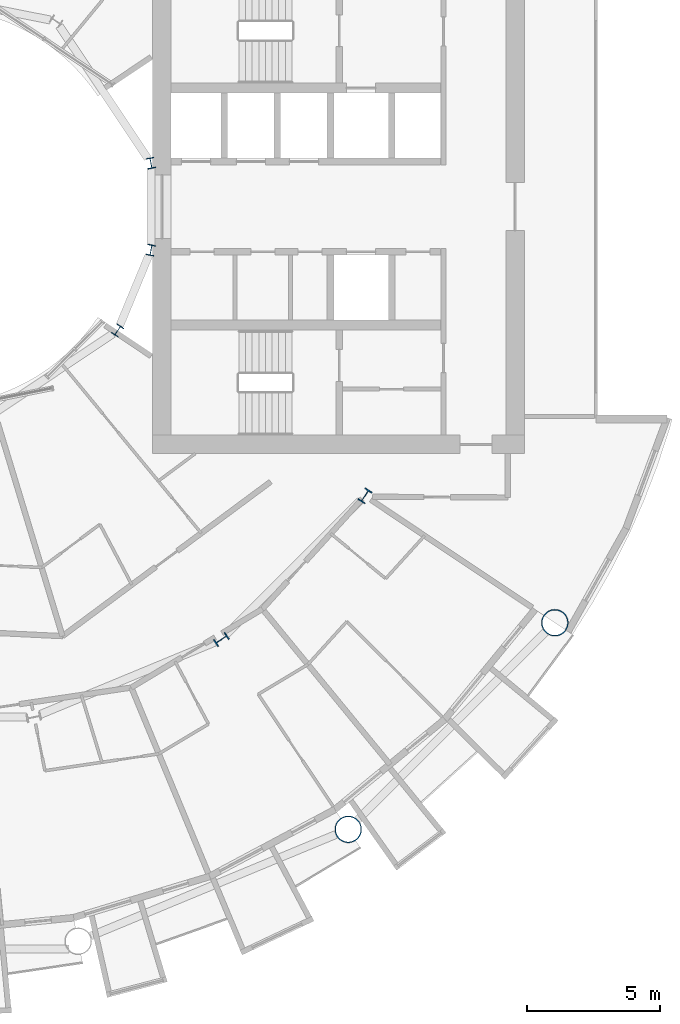
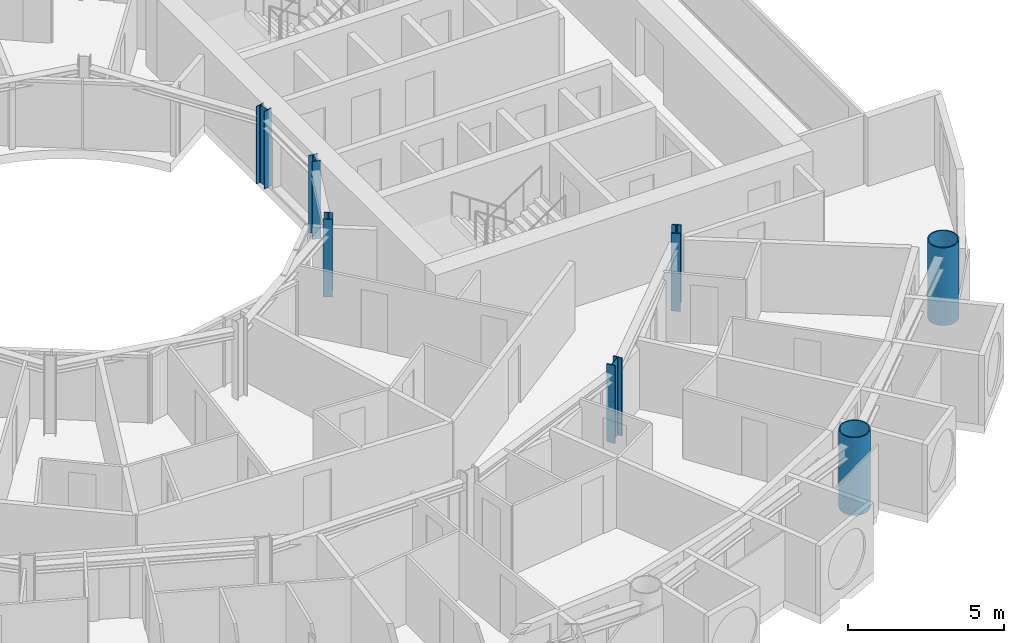
# One storey, part 2 of 26: 7 columns.
"""IFC4 building model written with IfcOpenShell, lengths in metres."""

from ifc_helpers import new_model, si_unit, direction, frame, origin, origin_2d, place, context, subcontext, project, spatial, hollow_circle, i_section, extrude, material, material_profile, profile_set, type_object, element, save


model = new_model("IFC4")

# Units and contexts
model_context = context("Model", 3, precision=1e-05, world=origin(), true_north=direction((0.0, 1.0)))
body_context = subcontext(model_context, "Body", "Model", "MODEL_VIEW")
ifc_project = project(units=[si_unit("LENGTHUNIT", "METRE"), si_unit("AREAUNIT", "SQUARE_METRE"), si_unit("VOLUMEUNIT", "CUBIC_METRE"), si_unit("PLANEANGLEUNIT", "RADIAN"), si_unit("MASSUNIT", "GRAM", prefix="KILO")], contexts=[model_context])

# Site, building, storey
site_placement = place(None, origin())
site = spatial("IfcSite", under=ifc_project, at=site_placement, CompositionType="ELEMENT")
building_placement = place(site_placement, origin())
building = spatial("IfcBuilding", under=site, at=building_placement, Name="Maasbend Ring Residences", CompositionType="ELEMENT")
storey_placement = place(building_placement, frame((0.0, 0.0, 75.800048828125)))
storey = spatial("IfcBuildingStorey", under=building, at=storey_placement, Name="L21", CompositionType="ELEMENT", Elevation=75.800048828125)

# Columns
ifc_material_1 = material(Name="Composite concrete-filled steel tube S460NH / C80/95", Category="concrete")
ifc_material_profile_1 = material_profile(ifc_material_1, hollow_circle(Radius=0.508056640625, WallThickness=0.0400390625, at=origin_2d()), Name="Composite tube column CHS 1016x40")
ifc_profile_set_1 = profile_set([ifc_material_profile_1], Name="Composite concrete-filled steel tube S460NH / C80/95")
column_type_1 = type_object("IfcColumnType", Name="Composite tube column CHS 1016x40", PredefinedType="COLUMN", material=ifc_profile_set_1)
for number, where, z_axis, x_axis, name in (
    (1, (15.6669921875, -23.447509765625, 0.0), (0.0, 0.0, 1.0), (1.0, 0.0, 0.0), "Outer column R14"),
    (2, (23.447509765625, -15.6669921875, 0.0), (0.0, 0.0, 1.0), (1.0, 0.0, 0.0), "Outer column R15"),
):
    element("IfcColumn", number, at=place(storey_placement, frame(where, z_axis=z_axis, x_axis=x_axis)), inside=storey, type_object=column_type_1, Name=name, PredefinedType="COLUMN", context=body_context, shape_type="SweptSolid", body=[
        extrude(hollow_circle(Radius=0.508056640625, WallThickness=0.0400390625, at=origin_2d()), origin(), (0.0, 0.0, 1.0), 3.050048828125),
    ])
ifc_material_2 = material(Name="Steel S355J2", Category="steel")
ifc_material_profile_2 = material_profile(ifc_material_2, i_section(OverallWidth=0.300048828125, OverallDepth=0.39990234375, WebThickness=0.013427734375, FlangeThickness=0.02392578125, FilletRadius=0.027099609375, at=origin_2d()), Name="HEB 400")
ifc_profile_set_2 = profile_set([ifc_material_profile_2], Name="Steel S355J2")
column_type_2 = type_object("IfcColumnType", Name="Steel column HEB 400", PredefinedType="COLUMN", material=ifc_profile_set_2)
for number, where, z_axis, x_axis, name in (
    (3, (8.238525390625, 1.638916015625, 0.0), (0.0, 0.0, 1.0), (0.980785280403, 0.195090322016, 0.0), "Well ring column R1"),
    (4, (6.984375, -4.666748046875, 0.0), (0.0, 0.0, 1.0), (0.831469612303, -0.55557023302, 0.0), "Well ring column R15"),
    (5, (8.238525390625, -1.638916015625, 0.0), (0.0, 0.0, 1.0), (0.980785280403, -0.195090322016, 0.0), "Well ring column R16"),
):
    element("IfcColumn", number, at=place(storey_placement, frame(where, z_axis=z_axis, x_axis=x_axis)), inside=storey, type_object=column_type_2, Name=name, PredefinedType="COLUMN", context=body_context, shape_type="SweptSolid", body=[
        extrude(i_section(OverallWidth=0.300048828125, OverallDepth=0.39990234375, WebThickness=0.013427734375, FlangeThickness=0.02392578125, FilletRadius=0.027099609375, at=origin_2d()), origin(), (0.0, 0.0, 1.0), 3.050048828125),
    ])
ifc_material_3 = material(Name="Steel S460M", Category="steel")
ifc_material_profile_3 = material_profile(ifc_material_3, i_section(OverallWidth=0.305908203125, OverallDepth=0.52392578125, WebThickness=0.02099609375, FlangeThickness=0.0400390625, FilletRadius=0.027099609375, at=origin_2d()), Name="HEM 500")
ifc_profile_set_3 = profile_set([ifc_material_profile_3], Name="Steel S460M")
column_type_3 = type_object("IfcColumnType", Name="Steel column HEM 500", PredefinedType="COLUMN", material=ifc_profile_set_3)
for number, where, z_axis, x_axis, name in (
    (6, (10.88916015625, -16.296875, 0.0), (0.0, 0.0, 1.0), (0.55557023302, -0.831469612303, 0.0), "Corridor ring column R14"),
    (7, (16.296875, -10.88916015625, 0.0), (0.0, 0.0, 1.0), (0.831469612303, -0.55557023302, 0.0), "Corridor ring column R15"),
):
    element("IfcColumn", number, at=place(storey_placement, frame(where, z_axis=z_axis, x_axis=x_axis)), inside=storey, type_object=column_type_3, Name=name, PredefinedType="COLUMN", context=body_context, shape_type="SweptSolid", body=[
        extrude(i_section(OverallWidth=0.305908203125, OverallDepth=0.52392578125, WebThickness=0.02099609375, FlangeThickness=0.0400390625, FilletRadius=0.027099609375, at=origin_2d()), origin(), (0.0, 0.0, 1.0), 3.050048828125),
    ])

save(model, "model.ifc")
